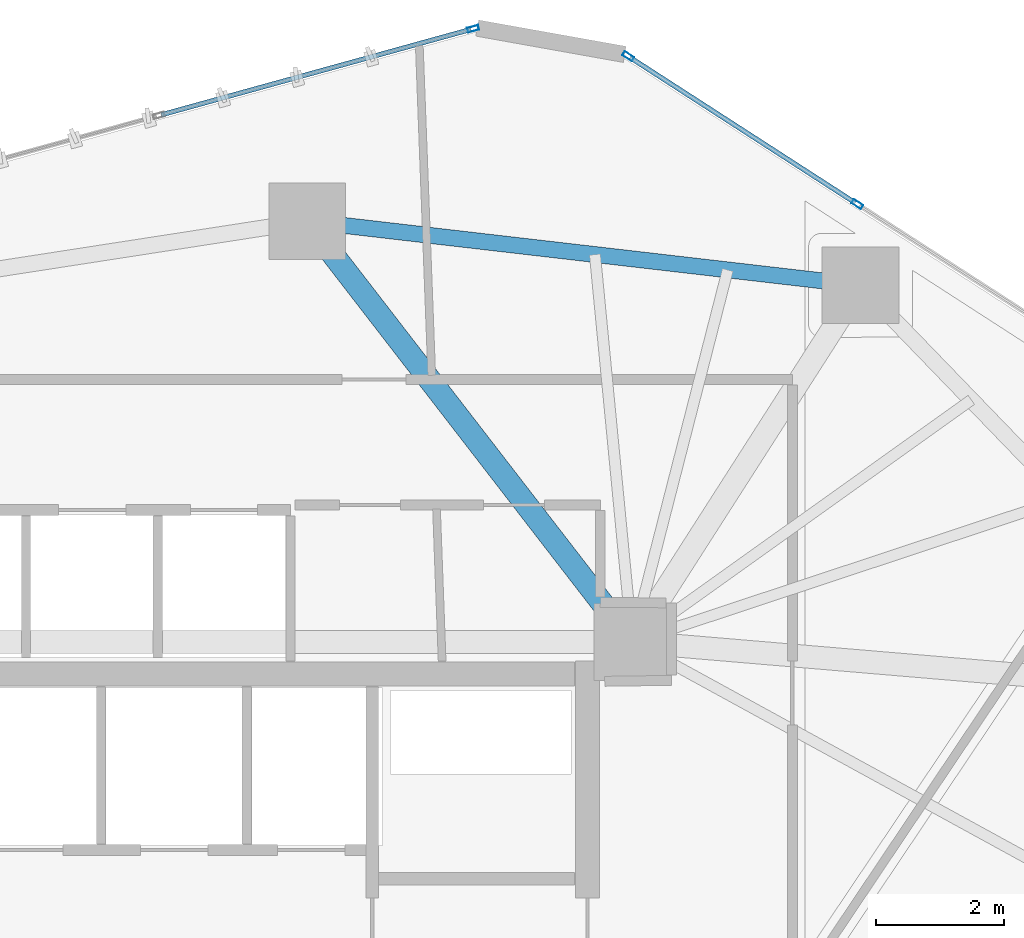
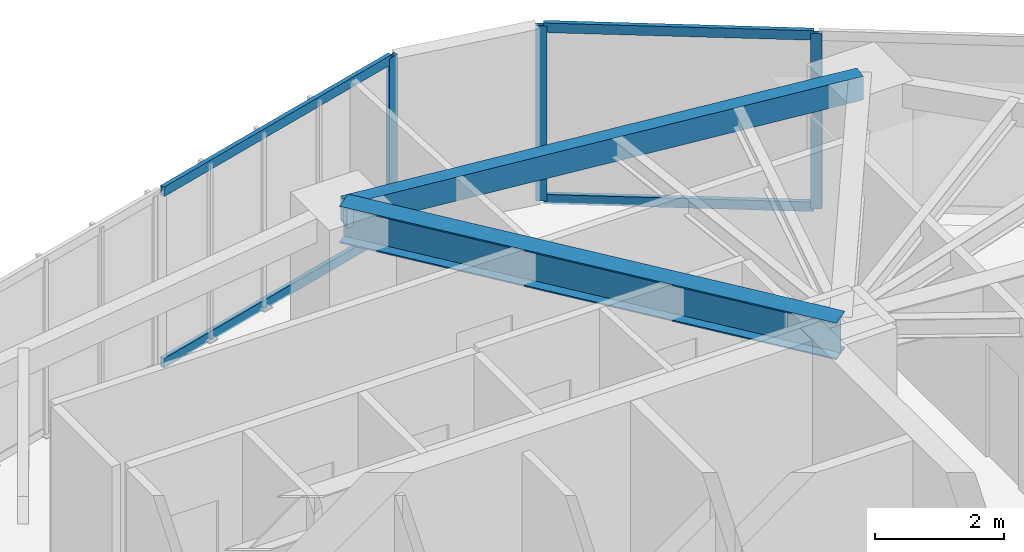
# One storey, part 13 of 20: 7 members, 2 beams, 2 elements without a shape of their own.
"""IFC4 building model written with IfcOpenShell, lengths in metres."""

from ifc_helpers import new_model, si_unit, direction, frame, origin, origin_2d, place, context, subcontext, project, spatial, hollow_rectangle, i_section, extrude, source, transform, mapped, material, layer, layer_set, material_profile, profile_set, type_object, type_shapes, element, aggregate, save


model = new_model("IFC4")

# Units and contexts
model_context = context("Model", 3, precision=1e-05, world=origin(), true_north=direction((0.0, 1.0)))
body_context = subcontext(model_context, "Body", "Model", "MODEL_VIEW")
ifc_project = project(units=[si_unit("LENGTHUNIT", "METRE"), si_unit("AREAUNIT", "SQUARE_METRE"), si_unit("VOLUMEUNIT", "CUBIC_METRE"), si_unit("PLANEANGLEUNIT", "RADIAN"), si_unit("MASSUNIT", "GRAM", prefix="KILO")], contexts=[model_context])

# Site, building, storey
site_placement = place(None, origin())
site = spatial("IfcSite", under=ifc_project, at=site_placement, CompositionType="ELEMENT")
building_placement = place(site_placement, origin())
building = spatial("IfcBuilding", under=site, at=building_placement, Name="Talar Marvaseh", CompositionType="ELEMENT")
storey_placement = place(building_placement, frame((0.0, 0.0, 136.199951171875)))
storey = spatial("IfcBuildingStorey", under=building, at=storey_placement, Name="L35", CompositionType="ELEMENT", Elevation=136.199951171875)

# Beams
ifc_material_1 = material(Name="Steel S355", Category="steel")
ifc_material_profile_1 = material_profile(ifc_material_1, hollow_rectangle(XDim=0.25, YDim=0.449951171875, WallThickness=0.01611328125, at=origin_2d()), Name="RHS450x250x16")
ifc_profile_set_1 = profile_set([ifc_material_profile_1], Name="Steel S355")
beam_type_1 = type_object("IfcBeamType", Name="Zone 2 Perimeter Spandrel Beam RHS450x250x16", PredefinedType="SPANDREL", material=ifc_profile_set_1)
beam_1_placement = place(storey_placement, frame((28.221923828125, 43.471923828125, 3.0849609375), z_axis=(0.993361914569, -0.115030894474, 0.0), x_axis=(0.115030894474, 0.993361914569, 0.0)))
element("IfcBeam", 1, at=beam_1_placement, inside=storey, type_object=beam_type_1, Name="L35 Zone 2 Perimeter Spandrel Beam RHS450x250x16", PredefinedType="SPANDREL", context=body_context, shape_type="SweptSolid", body=[
    extrude(hollow_rectangle(XDim=0.25, YDim=0.449951171875, WallThickness=0.01611328125, at=origin_2d()), origin(), (0.0, 0.0, 1.0), 8.701904296875),
])
ifc_material_profile_2 = material_profile(ifc_material_1, i_section(OverallWidth=0.35498046875, OverallDepth=0.695068359375, WebThickness=0.015380859375, FlangeThickness=0.02490234375, at=origin_2d()), Name="W690x217")
ifc_profile_set_2 = profile_set([ifc_material_profile_2], Name="Steel S355")
beam_type_2 = type_object("IfcBeamType", Name="Zone 2 Radial Floor Girder W690x217", PredefinedType="BEAM", material=ifc_profile_set_2)
beam_2_placement = place(storey_placement, frame((28.221923828125, 43.471923828125, 2.962646484375), z_axis=(0.611428258763, -0.791299870079, 0.0), x_axis=(0.791299870079, 0.611428258763, 0.0)))
element("IfcBeam", 2, at=beam_2_placement, inside=storey, type_object=beam_type_2, Name="L35 Zone 2 Radial Floor Girder W690x217", PredefinedType="BEAM", context=body_context, shape_type="SweptSolid", body=[
    extrude(i_section(OverallWidth=0.35498046875, OverallDepth=0.695068359375, WebThickness=0.015380859375, FlangeThickness=0.02490234375, at=origin_2d()), origin(), (0.0, 0.0, 1.0), 8.305419921875),
])

# Curtain wall, member
ifc_material_2 = material(Name="Architectural Aluminium", Category="aluminium")
ifc_layer = layer(ifc_material_2, 0.199951171875)
ifc_layer_set = layer_set([ifc_layer], Name="Architectural Aluminium")
curtain_wall_type = type_object("IfcCurtainWallType", Name="Unitised Acoustic Library Curtain Wall Z2", PredefinedType="NOTDEFINED", material=ifc_layer_set)
curtain_wall_1_placement = place(storey_placement, origin())
curtain_wall_1 = element("IfcCurtainWall", 3, at=curtain_wall_1_placement, inside=storey, type_object=curtain_wall_type, Name="L35 Unitised Acoustic Library Curtain Wall Z2", PredefinedType="NOTDEFINED")
ifc_material_profile_3 = material_profile(ifc_material_2, hollow_rectangle(XDim=0.074951171875, YDim=0.179931640625, WallThickness=0.0048828125, at=origin_2d()), Name="RHS180x75x5")
ifc_profile_set_3 = profile_set([ifc_material_profile_3], Name="Architectural Aluminium")
member_type_1 = type_object("IfcMemberType", Name="Unitised Curtain Wall Standard Mullion RHS180x75x5", PredefinedType="MULLION", material=ifc_profile_set_3)
shared_shape_1 = source(origin(), body_context, "Body", "SweptSolid", [
    extrude(hollow_rectangle(XDim=0.074951171875, YDim=0.179931640625, WallThickness=0.0048828125, at=origin_2d()), origin(), (0.0, 0.0, 1.0), 3.31005859375),
])
type_shapes(member_type_1, [shared_shape_1])
member_1_placement = place(storey_placement, frame((30.81494140625, 46.4775390625, 0.0), z_axis=(0.0, 0.0, 1.0), x_axis=(-0.2660922328, 0.963947573078, 0.0)))
member_1 = element("IfcMember", 4, at=member_1_placement, type_object=member_type_1, Name="CW-Z2 mullion 4", PredefinedType="MULLION", context=body_context, shape_type="MappedRepresentation", body=[
    mapped(shared_shape_1, transform((0.0, 0.0, 0.0), x_axis=(1.0, 0.0, 0.0), y_axis=(0.0, 1.0, 0.0), z_axis=(0.0, 0.0, 1.0), scale=1.0)),
])

# Curtain wall, members
curtain_wall_2_placement = place(storey_placement, origin())
curtain_wall_2 = element("IfcCurtainWall", 5, at=curtain_wall_2_placement, inside=storey, type_object=curtain_wall_type, Name="L35 Unitised Acoustic Library Curtain Wall Z2", PredefinedType="NOTDEFINED")
member_2_placement = place(storey_placement, frame((33.235595703125, 46.04833984375, 0.0), z_axis=(0.0, 0.0, 1.0), x_axis=(0.542385863972, 0.840129498686, 0.0)))
member_2 = element("IfcMember", 6, at=member_2_placement, type_object=member_type_1, Name="CW-Z2 mullion 1", PredefinedType="MULLION", context=body_context, shape_type="MappedRepresentation", body=[
    mapped(shared_shape_1, transform((0.0, 0.0, 0.0), x_axis=(1.0, 0.0, 0.0), y_axis=(0.0, 1.0, 0.0), z_axis=(0.0, 0.0, 1.0), scale=1.0)),
])
member_3_placement = place(storey_placement, frame((36.814697265625, 43.737548828125, 0.0), z_axis=(0.0, 0.0, 1.0), x_axis=(0.542385863972, 0.840129498686, 0.0)))
member_3 = element("IfcMember", 7, at=member_3_placement, type_object=member_type_1, Name="CW-Z2 mullion 2", PredefinedType="MULLION", context=body_context, shape_type="MappedRepresentation", body=[
    mapped(shared_shape_1, transform((0.0, 0.0, 0.0), x_axis=(1.0, 0.0, 0.0), y_axis=(0.0, 1.0, 0.0), z_axis=(0.0, 0.0, 1.0), scale=1.0)),
])
ifc_material_profile_4 = material_profile(ifc_material_2, hollow_rectangle(XDim=0.074951171875, YDim=0.179931640625, WallThickness=0.0048828125, at=origin_2d()), Name="RHS180x75x5")
ifc_profile_set_4 = profile_set([ifc_material_profile_4], Name="Architectural Aluminium")
member_type_2 = type_object("IfcMemberType", Name="Unitised Curtain Wall Transom RHS180x75x5", PredefinedType="USERDEFINED", material=ifc_profile_set_4)
shared_shape_2 = source(origin(), body_context, "Body", "SweptSolid", [
    extrude(hollow_rectangle(XDim=0.074951171875, YDim=0.179931640625, WallThickness=0.0048828125, at=origin_2d()), origin(), (0.0, 0.0, 1.0), 4.185302734375),
])
member_4_placement = place(storey_placement, frame((33.26708984375, 46.028076171875, 0.03759765625), z_axis=(0.840100295226, -0.54243109605, 0.0), x_axis=(0.54243109605, 0.840100295226, 0.0)))
member_4 = element("IfcMember", 8, at=member_4_placement, type_object=member_type_2, Name="CW-Z2 transom 1.1", ObjectType="TRANSOM", PredefinedType="USERDEFINED", context=body_context, shape_type="MappedRepresentation", body=[
    mapped(shared_shape_2, transform((0.0, 0.0, 0.0), x_axis=(1.0, 0.0, 0.0), y_axis=(0.0, 1.0, 0.0), z_axis=(0.0, 0.0, 1.0), scale=1.0)),
])
member_5_placement = place(storey_placement, frame((33.26708984375, 46.028076171875, 3.2724609375), z_axis=(0.840100295226, -0.54243109605, 0.0), x_axis=(0.54243109605, 0.840100295226, 0.0)))
member_5 = element("IfcMember", 9, at=member_5_placement, type_object=member_type_2, Name="CW-Z2 transom 1.2", ObjectType="TRANSOM", PredefinedType="USERDEFINED", context=body_context, shape_type="MappedRepresentation", body=[
    mapped(shared_shape_2, transform((0.0, 0.0, 0.0), x_axis=(1.0, 0.0, 0.0), y_axis=(0.0, 1.0, 0.0), z_axis=(0.0, 0.0, 1.0), scale=1.0)),
])
aggregate(curtain_wall_2, [member_2, member_3, member_4, member_5])

# Member
shared_shape_3 = source(origin(), body_context, "Body", "SweptSolid", [
    extrude(hollow_rectangle(XDim=0.074951171875, YDim=0.179931640625, WallThickness=0.0048828125, at=origin_2d()), origin(), (0.0, 0.0, 1.0), 5.017578125),
])
type_shapes(member_type_2, [shared_shape_2, shared_shape_3])
member_6_placement = place(storey_placement, frame((25.942138671875, 45.132568359375, 0.03759765625), z_axis=(0.963956478996, 0.266059968056, 0.0), x_axis=(-0.266059968056, 0.963956478996, 0.0)))
member_6 = element("IfcMember", 10, at=member_6_placement, type_object=member_type_2, Name="CW-Z2 transom 3.1", ObjectType="TRANSOM", PredefinedType="USERDEFINED", context=body_context, shape_type="MappedRepresentation", body=[
    mapped(shared_shape_3, transform((0.0, 0.0, 0.0), x_axis=(1.0, 0.0, 0.0), y_axis=(0.0, 1.0, 0.0), z_axis=(0.0, 0.0, 1.0), scale=1.0)),
])

member_7_placement = place(storey_placement, frame((25.942138671875, 45.132568359375, 3.2724609375), z_axis=(0.963956478996, 0.266059968056, 0.0), x_axis=(-0.266059968056, 0.963956478996, 0.0)))
member_7 = element("IfcMember", 11, at=member_7_placement, type_object=member_type_2, Name="CW-Z2 transom 3.2", ObjectType="TRANSOM", PredefinedType="USERDEFINED", context=body_context, shape_type="MappedRepresentation", body=[
    mapped(shared_shape_3, transform((0.0, 0.0, 0.0), x_axis=(1.0, 0.0, 0.0), y_axis=(0.0, 1.0, 0.0), z_axis=(0.0, 0.0, 1.0), scale=1.0)),
])

aggregate(curtain_wall_1, [member_1, member_6, member_7])

save(model, "model.ifc")
